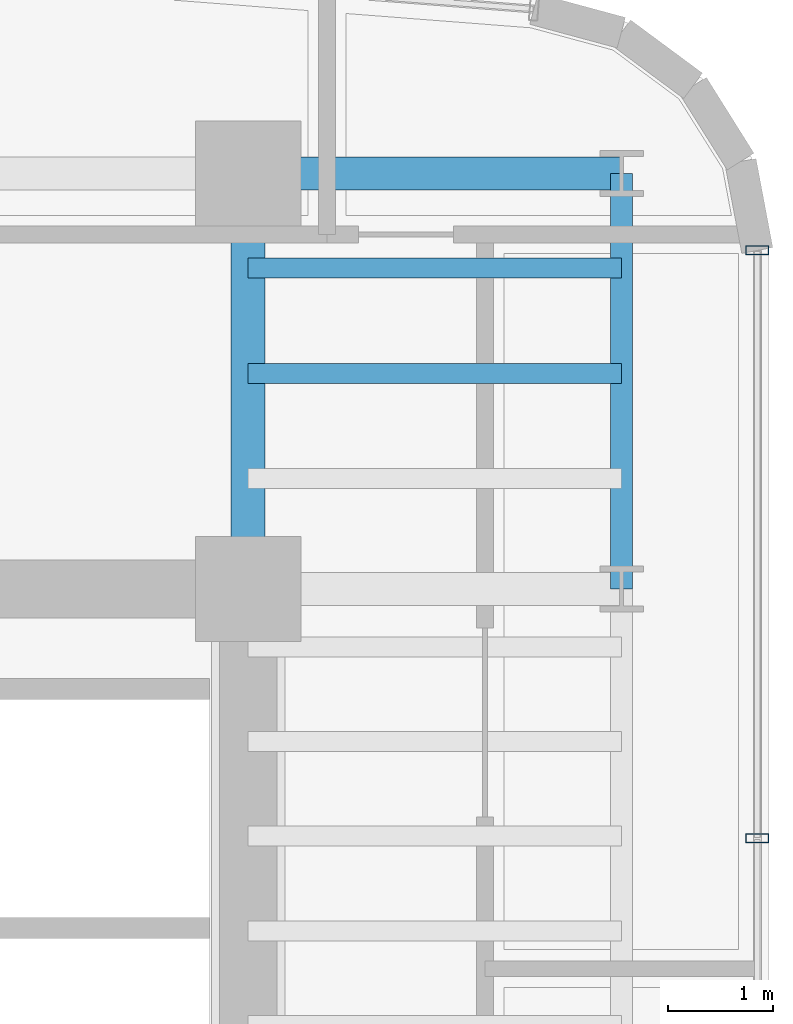
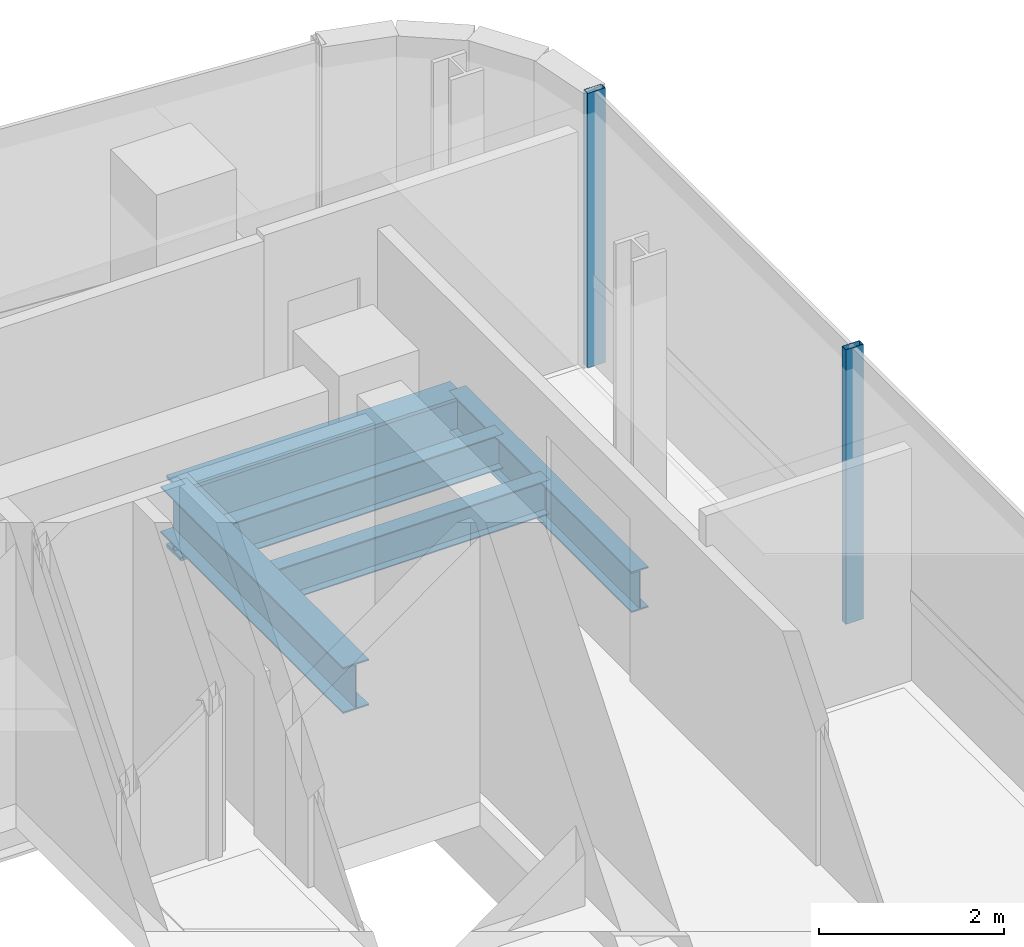
# One storey, part 16 of 36: 5 beams, 2 members, 1 element without a shape of its own.
"""IFC4 building model written with IfcOpenShell, lengths in metres."""

from ifc_helpers import new_model, si_unit, direction, frame, origin, origin_2d, place, context, subcontext, project, spatial, hollow_rectangle, i_section, extrude, source, transform, mapped, material, material_profile, profile_set, type_object, element, aggregate, save


model = new_model("IFC4")

# Units and contexts
model_context = context("Model", 3, precision=1e-05, world=origin(), true_north=direction((0.0, 1.0)))
body_context = subcontext(model_context, "Body", "Model", "MODEL_VIEW")
ifc_project = project(units=[si_unit("LENGTHUNIT", "METRE"), si_unit("AREAUNIT", "SQUARE_METRE"), si_unit("VOLUMEUNIT", "CUBIC_METRE"), si_unit("PLANEANGLEUNIT", "RADIAN"), si_unit("MASSUNIT", "GRAM", prefix="KILO")], contexts=[model_context])

# Site, building, storey
site_placement = place(None, origin())
site = spatial("IfcSite", under=ifc_project, at=site_placement, CompositionType="ELEMENT")
building_placement = place(site_placement, origin())
building = spatial("IfcBuilding", under=site, at=building_placement, Name="Valdorenza Pilgrim Sanctuary Tower", CompositionType="ELEMENT")
storey_placement = place(building_placement, frame((0.0, 0.0, 176.550048828125)))
storey = spatial("IfcBuildingStorey", under=building, at=storey_placement, Name="L45", CompositionType="ELEMENT", Elevation=176.550048828125)

# Beams
ifc_material_1 = material(Name="Steel ASTM A992 Grade 50", Category="steel")
ifc_material_profile_1 = material_profile(ifc_material_1, i_section(OverallWidth=0.323974609375, OverallDepth=0.611083984375, WebThickness=0.0126953125, FlangeThickness=0.01904296875, at=origin_2d()), Name="W24X104")
ifc_profile_set_1 = profile_set([ifc_material_profile_1], Name="Steel ASTM A992 Grade 50")
beam_type_1 = type_object("IfcBeamType", Name="STR-BM-GRD-W24B", PredefinedType="BEAM", material=ifc_profile_set_1)
shared_shape_1 = source(origin(), body_context, "Body", "SweptSolid", [
    extrude(i_section(OverallWidth=0.323974609375, OverallDepth=0.611083984375, WebThickness=0.0126953125, FlangeThickness=0.01904296875, at=origin_2d()), origin(), (0.0, 0.0, 1.0), 3.949951171875),
])
beam_1_placement = place(storey_placement, frame((24.85009765625, 9.550048828125, -0.62548828125), z_axis=(0.0, 1.0, 0.0), x_axis=(-1.0, 0.0, 0.0)))
element("IfcBeam", 1, at=beam_1_placement, inside=storey, type_object=beam_type_1, Name="L45 Core Tie Girder CB-E-N1N2", PredefinedType="BEAM", context=body_context, shape_type="MappedRepresentation", body=[
    mapped(shared_shape_1, transform((0.0, 0.0, 0.0), x_axis=(1.0, 0.0, 0.0), y_axis=(0.0, 1.0, 0.0), z_axis=(0.0, 0.0, 1.0), scale=1.0)),
])
ifc_material_profile_2 = material_profile(ifc_material_1, i_section(OverallWidth=0.19091796875, OverallDepth=0.45703125, WebThickness=0.009033203125, FlangeThickness=0.014404296875, at=origin_2d()), Name="W18X50")
ifc_profile_set_2 = profile_set([ifc_material_profile_2], Name="Steel ASTM A992 Grade 50")
beam_type_2 = type_object("IfcBeamType", Name="STR-BM-JST-W18B", PredefinedType="JOIST", material=ifc_profile_set_2)
shared_shape_2 = source(origin(), body_context, "Body", "SweptSolid", [
    extrude(i_section(OverallWidth=0.19091796875, OverallDepth=0.45703125, WebThickness=0.009033203125, FlangeThickness=0.014404296875, at=origin_2d()), origin(), (0.0, 0.0, 1.0), 3.5498046875),
])
for number, where, z_axis, x_axis, name in (
    (2, (24.85009765625, 11.60009765625, -0.548583984375), (1.0, 0.0, 0.0), (0.0, 1.0, 0.0), "L45 Composite Floor Joist JST-WB-20"),
    (3, (24.85009765625, 12.60009765625, -0.548583984375), (1.0, 0.0, 0.0), (0.0, 1.0, 0.0), "L45 Composite Floor Joist JST-WB-21"),
):
    element("IfcBeam", number, at=place(storey_placement, frame(where, z_axis=z_axis, x_axis=x_axis)), inside=storey, type_object=beam_type_2, Name=name, PredefinedType="JOIST", context=body_context, shape_type="MappedRepresentation", body=[
        mapped(shared_shape_2, transform((0.0, 0.0, 0.0), x_axis=(1.0, 0.0, 0.0), y_axis=(0.0, 1.0, 0.0), z_axis=(0.0, 0.0, 1.0), scale=1.0)),
    ])
ifc_material_profile_3 = material_profile(ifc_material_1, i_section(OverallWidth=0.2109375, OverallDepth=0.5390625, WebThickness=0.01171875, FlangeThickness=0.018798828125, at=origin_2d()), Name="W21X73")
ifc_profile_set_3 = profile_set([ifc_material_profile_3], Name="Steel ASTM A992 Grade 50")
beam_type_3 = type_object("IfcBeamType", Name="STR-BM-SPN-W21B", PredefinedType="SPANDREL", material=ifc_profile_set_3)
shared_shape_3 = source(origin(), body_context, "Body", "SweptSolid", [
    extrude(i_section(OverallWidth=0.2109375, OverallDepth=0.5390625, WebThickness=0.01171875, FlangeThickness=0.018798828125, at=origin_2d()), origin(), (0.0, 0.0, 1.0), 3.949951171875),
])
beam_2_placement = place(storey_placement, frame((28.39990234375, 9.550048828125, -0.589599609375), z_axis=(0.0, 1.0, 0.0), x_axis=(-1.0, 0.0, 0.0)))
element("IfcBeam", 4, at=beam_2_placement, inside=storey, type_object=beam_type_3, Name="L45 Spandrel Beam WB-E-N1N2", PredefinedType="SPANDREL", context=body_context, shape_type="MappedRepresentation", body=[
    mapped(shared_shape_3, transform((0.0, 0.0, 0.0), x_axis=(1.0, 0.0, 0.0), y_axis=(0.0, 1.0, 0.0), z_axis=(0.0, 0.0, 1.0), scale=1.0)),
])
ifc_material_profile_4 = material_profile(ifc_material_1, i_section(OverallWidth=0.31005859375, OverallDepth=0.949951171875, WebThickness=0.0244140625, FlangeThickness=0.0439453125, at=origin_2d()), Name="W36X256")
ifc_profile_set_4 = profile_set([ifc_material_profile_4], Name="Steel ASTM A992 Grade 50")
beam_type_4 = type_object("IfcBeamType", Name="STR-BM-GRD-W36B", PredefinedType="BEAM", material=ifc_profile_set_4)
shared_shape_4 = source(origin(), body_context, "Body", "SweptSolid", [
    extrude(i_section(OverallWidth=0.31005859375, OverallDepth=0.949951171875, WebThickness=0.0244140625, FlangeThickness=0.0439453125, at=origin_2d()), origin(), (0.0, 0.0, 1.0), 3.5498046875),
])
beam_3_placement = place(storey_placement, frame((24.85009765625, 13.5, -0.795166015625), z_axis=(1.0, 0.0, 0.0), x_axis=(0.0, 1.0, 0.0)))
element("IfcBeam", 5, at=beam_3_placement, inside=storey, type_object=beam_type_4, Name="L45 Floor Girder WB-XE-N2", PredefinedType="BEAM", context=body_context, shape_type="MappedRepresentation", body=[
    mapped(shared_shape_4, transform((0.0, 0.0, 0.0), x_axis=(1.0, 0.0, 0.0), y_axis=(0.0, 1.0, 0.0), z_axis=(0.0, 0.0, 1.0), scale=1.0)),
])

# Curtain wall, members
ifc_material_2 = material(Name="Curtain-wall IGU glazing", Category="glass")
curtain_wall_type = type_object("IfcCurtainWallType", Name="CW-SYS-03", PredefinedType="NOTDEFINED", material=ifc_material_2)
curtain_wall_placement = place(storey_placement, origin())
curtain_wall = element("IfcCurtainWall", 6, at=curtain_wall_placement, inside=storey, type_object=curtain_wall_type, Name="L45 Curtain Wall CW-L45-1-37", PredefinedType="NOTDEFINED")
ifc_material_3 = material(Name="Anodised aluminium AW-6060", Category="aluminium")
ifc_material_profile_5 = material_profile(ifc_material_3, hollow_rectangle(XDim=0.0849609375, YDim=0.219970703125, WallThickness=0.0048828125, at=origin_2d()), Name="ALU-M 220x85x5")
ifc_profile_set_5 = profile_set([ifc_material_profile_5], Name="Anodised aluminium AW-6060")
member_type = type_object("IfcMemberType", Name="CW-MUL-03", PredefinedType="MULLION", material=ifc_profile_set_5)
shared_shape_5 = source(origin(), body_context, "Body", "SweptSolid", [
    extrude(hollow_rectangle(XDim=0.0849609375, YDim=0.219970703125, WallThickness=0.0048828125, at=origin_2d()), origin(), (0.0, 0.0, 1.0), 3.6298828125),
])
member_1_placement = place(storey_placement, frame((29.68994140625, 12.768310546875, 0.0), z_axis=(0.0, 0.0, 1.0), x_axis=(0.0, -1.0, 0.0)))
member_1 = element("IfcMember", 7, at=member_1_placement, type_object=member_type, Name="CW-L45-1-37 Mullion 1", PredefinedType="MULLION", context=body_context, shape_type="MappedRepresentation", body=[
    mapped(shared_shape_5, transform((0.0, 0.0, 0.0), x_axis=(1.0, 0.0, 0.0), y_axis=(0.0, 1.0, 0.0), z_axis=(0.0, 0.0, 1.0), scale=1.0)),
])
member_2_placement = place(storey_placement, frame((29.68994140625, 7.178955078125, 0.0), z_axis=(0.0, 0.0, 1.0), x_axis=(0.0, -1.0, 0.0)))
member_2 = element("IfcMember", 8, at=member_2_placement, type_object=member_type, Name="CW-L45-1-37 Mullion 2", PredefinedType="MULLION", context=body_context, shape_type="MappedRepresentation", body=[
    mapped(shared_shape_5, transform((0.0, 0.0, 0.0), x_axis=(1.0, 0.0, 0.0), y_axis=(0.0, 1.0, 0.0), z_axis=(0.0, 0.0, 1.0), scale=1.0)),
])
aggregate(curtain_wall, [member_1, member_2])

save(model, "model.ifc")
